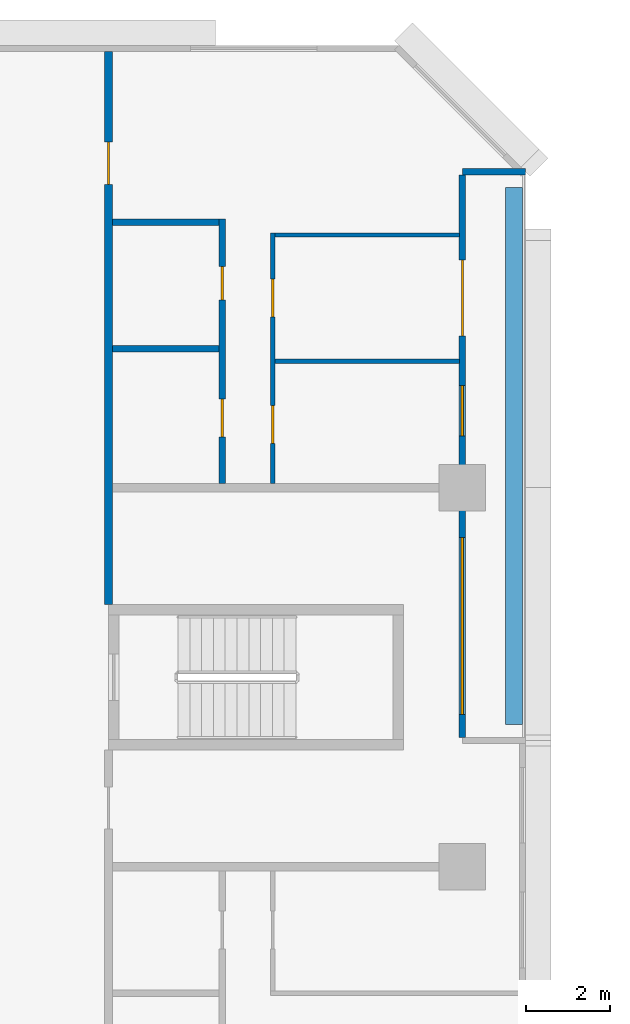
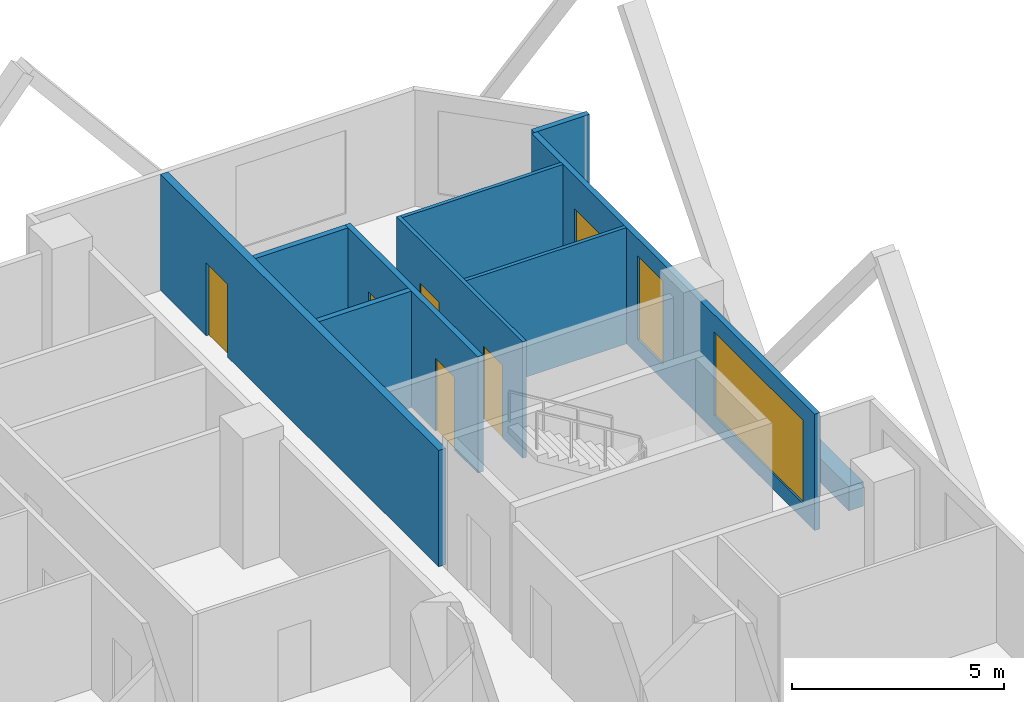
# One storey, part 10 of 15: 10 walls, 6 doors, 2 windows, 8 openings.
"""IFC4 building model written with IfcOpenShell, lengths in metres."""

from ifc_helpers import new_model, si_unit, direction, frame, frame_2d, origin, place, context, subcontext, project, spatial, rectangle, extrude, material, layer, layer_set, type_object, element, fill, save


model = new_model("IFC4")

# Units and contexts
model_context = context("Model", 3, precision=1e-05, world=origin(), true_north=direction((0.0, 1.0)))
body_context = subcontext(model_context, "Body", "Model", "MODEL_VIEW")
ifc_project = project(units=[si_unit("LENGTHUNIT", "METRE"), si_unit("AREAUNIT", "SQUARE_METRE"), si_unit("VOLUMEUNIT", "CUBIC_METRE"), si_unit("PLANEANGLEUNIT", "RADIAN"), si_unit("MASSUNIT", "GRAM", prefix="KILO")], contexts=[model_context])

# Site, building, storey
site_placement = place(None, origin())
site = spatial("IfcSite", under=ifc_project, at=site_placement, CompositionType="ELEMENT")
building_placement = place(site_placement, origin())
building = spatial("IfcBuilding", under=site, at=building_placement, Name="Chenar Terraces", CompositionType="ELEMENT")
storey_placement = place(building_placement, frame((0.0, 0.0, 63.89990234375)))
storey = spatial("IfcBuildingStorey", under=building, at=storey_placement, Name="L13", CompositionType="ELEMENT", Elevation=63.89990234375)

# Wall, opening, door
ifc_material_1 = material(Name="Gypsum board on steel studs with fire boards", Category="steel")
ifc_layer_1 = layer(ifc_material_1, 0.199951171875)
ifc_layer_set_1 = layer_set([ifc_layer_1], Name="Gypsum board on steel studs with fire boards")
wall_type_1 = type_object("IfcWallType", Name="Corridor wall 200", PredefinedType="PARTITIONING", material=ifc_layer_set_1)
wall_1_placement = place(storey_placement, frame((15.60009765625, 51.22509765625, 0.0), z_axis=(0.0, 0.0, 1.0), x_axis=(0.0, 1.0, 0.0)))
wall_1 = element("IfcWall", 1, at=wall_1_placement, inside=storey, type_object=wall_type_1, Name="Partition L13-034", PredefinedType="PARTITIONING", context=body_context, shape_type="SweptSolid", body=[
    extrude(rectangle(XDim=13.125, YDim=0.199951171875, at=frame_2d((6.5625, 0.0))), origin(), (0.0, 0.0, 1.0), 3.35009765625),
])
opening_1_placement = place(wall_1_placement, frame((9.97509765625, 0.0, 0.0)))
opening_1 = element("IfcOpeningElement", 2, at=opening_1_placement, cuts=wall_1, Name="Opening DL13-28", PredefinedType="OPENING", context=body_context, shape_type="SweptSolid", body=[
    extrude(rectangle(XDim=1.0, YDim=2.10009765625, at=frame_2d((0.5, 1.050048828125))), frame((0.0, 0.10986328125, 0.0), z_axis=(0.0, -1.0, 0.0), x_axis=(1.0, 0.0, 0.0)), (0.0, 0.0, 1.0), 0.219970703125),
])
ifc_material_2 = material(Name="Steel-framed fire-resisting door leaf", Category="steel")
door_type_1 = type_object("IfcDoorType", Name="Fire door FD30S 1000 x 2100", OperationType="SINGLE_SWING_LEFT", PredefinedType="DOOR", material=ifc_material_2)
door_1_placement = place(opening_1_placement, frame((1.0, 0.0, 0.0), z_axis=(0.0, 0.0, 1.0), x_axis=(-1.0, 0.0, 0.0)))
door_1 = element("IfcDoor", 3, at=door_1_placement, inside=storey, type_object=door_type_1, Name="Door DL13-28", OperationType="SINGLE_SWING_RIGHT", OverallHeight=2.10009765625, OverallWidth=1.0, PredefinedType="DOOR", context=body_context, shape_type="SweptSolid", body=[
    extrude(rectangle(XDim=1.0, YDim=2.10009765625, at=frame_2d((0.5, 1.050048828125))), frame((0.0, 0.02490234375, 0.0), z_axis=(0.0, -1.0, 0.0), x_axis=(1.0, 0.0, 0.0)), (0.0, 0.0, 1.0), 0.050048828125),
])
fill(opening_1, door_1)

# Wall, openings, windows, door
ifc_material_3 = material(Name="Aluminium framed glazing", Category="aluminium")
ifc_layer_2 = layer(ifc_material_3, 0.14990234375)
ifc_layer_set_2 = layer_set([ifc_layer_2], Name="Aluminium framed glazing")
wall_type_2 = type_object("IfcWallType", Name="Glazed loggia back wall 150", PredefinedType="SOLIDWALL", material=ifc_layer_set_2)
wall_2_placement = place(storey_placement, frame((24.0, 48.074951171875, 0.0), z_axis=(0.0, 0.0, 1.0), x_axis=(0.0, 1.0, 0.0)))
wall_2 = element("IfcWall", 4, at=wall_2_placement, inside=storey, type_object=wall_type_2, Name="Glazed loggia back wall", PredefinedType="SOLIDWALL", context=body_context, shape_type="SweptSolid", body=[
    extrude(rectangle(XDim=13.35009765625, YDim=0.14990234375, at=frame_2d((6.675048828125, 0.0))), origin(), (0.0, 0.0, 1.0), 3.35009765625),
])
opening_2_placement = place(wall_2_placement, frame((0.53759765625, 0.0, 0.449951171875)))
opening_2 = element("IfcOpeningElement", 5, at=opening_2_placement, cuts=wall_2, Name="Opening W420x240", PredefinedType="OPENING", context=body_context, shape_type="SweptSolid", body=[
    extrude(rectangle(XDim=4.199951171875, YDim=2.39990234375, at=frame_2d((2.10009765625, 1.199951171875))), frame((0.0, 0.0849609375, 0.0), z_axis=(0.0, -1.0, 0.0), x_axis=(1.0, 0.0, 0.0)), (0.0, 0.0, 1.0), 0.169921875),
])
opening_3_placement = place(wall_2_placement, frame((7.14990234375, 0.0, 0.449951171875)))
opening_3 = element("IfcOpeningElement", 6, at=opening_3_placement, cuts=wall_2, Name="Opening W120x240", PredefinedType="OPENING", context=body_context, shape_type="SweptSolid", body=[
    extrude(rectangle(XDim=1.199951171875, YDim=2.39990234375, at=frame_2d((0.60009765625, 1.199951171875))), frame((0.0, 0.0849609375, 0.0), z_axis=(0.0, -1.0, 0.0), x_axis=(1.0, 0.0, 0.0)), (0.0, 0.0, 1.0), 0.169921875),
])
opening_4_placement = place(wall_2_placement, frame((9.52490234375, 0.0, 0.0)))
opening_4 = element("IfcOpeningElement", 7, at=opening_4_placement, cuts=wall_2, Name="Opening DL13-G1", PredefinedType="OPENING", context=body_context, shape_type="SweptSolid", body=[
    extrude(rectangle(XDim=1.800048828125, YDim=2.39990234375, at=frame_2d((0.89990234375, 1.199951171875))), frame((0.0, 0.0849609375, 0.0), z_axis=(0.0, -1.0, 0.0), x_axis=(1.0, 0.0, 0.0)), (0.0, 0.0, 1.0), 0.169921875),
])
ifc_material_4 = material(Name="Low emissivity double glazing, aluminium frame", Category="aluminium")
window_type_1 = type_object("IfcWindowType", Name="Fixed light 1200 x 2400", PartitioningType="SINGLE_PANEL", PredefinedType="WINDOW", material=ifc_material_4)
window_1_placement = place(opening_3_placement, origin())
window_1 = element("IfcWindow", 8, at=window_1_placement, inside=storey, type_object=window_type_1, Name="Window", OverallHeight=2.39990234375, OverallWidth=1.199951171875, PartitioningType="SINGLE_PANEL", PredefinedType="WINDOW", context=body_context, shape_type="SweptSolid", body=[
    extrude(rectangle(XDim=1.199951171875, YDim=2.39990234375, at=frame_2d((0.60009765625, 1.199951171875))), frame((0.0, 0.030029296875, 0.0), z_axis=(0.0, -1.0, 0.0), x_axis=(1.0, 0.0, 0.0)), (0.0, 0.0, 1.0), 0.06005859375),
])
fill(opening_3, window_1)
ifc_material_5 = material(Name="Low emissivity double glazing, aluminium frame", Category="aluminium")
window_type_2 = type_object("IfcWindowType", Name="Fixed light 4200 x 2400", PartitioningType="SINGLE_PANEL", PredefinedType="WINDOW", material=ifc_material_5)
window_2_placement = place(opening_2_placement, origin())
window_2 = element("IfcWindow", 9, at=window_2_placement, inside=storey, type_object=window_type_2, Name="Window", OverallHeight=2.39990234375, OverallWidth=4.199951171875, PartitioningType="SINGLE_PANEL", PredefinedType="WINDOW", context=body_context, shape_type="SweptSolid", body=[
    extrude(rectangle(XDim=4.199951171875, YDim=2.39990234375, at=frame_2d((2.10009765625, 1.199951171875))), frame((0.0, 0.030029296875, 0.0), z_axis=(0.0, -1.0, 0.0), x_axis=(1.0, 0.0, 0.0)), (0.0, 0.0, 1.0), 0.06005859375),
])
fill(opening_2, window_2)
ifc_material_6 = material(Name="Low emissivity double glazing, aluminium frame", Category="aluminium")
door_type_2 = type_object("IfcDoorType", Name="Loggia glazed double door 1800 x 2400", OperationType="DOUBLE_DOOR_SINGLE_SWING", PredefinedType="DOOR", material=ifc_material_6)
door_2_placement = place(opening_4_placement, frame((1.800048828125, 0.0, 0.0), z_axis=(0.0, 0.0, 1.0), x_axis=(-1.0, 0.0, 0.0)))
door_2 = element("IfcDoor", 10, at=door_2_placement, inside=storey, type_object=door_type_2, Name="Loggia glazed door", OperationType="DOUBLE_DOOR_SINGLE_SWING", OverallHeight=2.39990234375, OverallWidth=1.800048828125, PredefinedType="DOOR", context=body_context, shape_type="SweptSolid", body=[
    extrude(rectangle(XDim=1.800048828125, YDim=2.39990234375, at=frame_2d((0.89990234375, 1.199951171875))), frame((0.0, 0.02490234375, 0.0), z_axis=(0.0, -1.0, 0.0), x_axis=(1.0, 0.0, 0.0)), (0.0, 0.0, 1.0), 0.050048828125),
])
fill(opening_4, door_2)

# Wall, openings, doors
ifc_material_7 = material(Name="Gypsum board on steel studs", Category="steel")
ifc_layer_3 = layer(ifc_material_7, 0.10009765625)
ifc_layer_set_3 = layer_set([ifc_layer_3], Name="Gypsum board on steel studs")
wall_type_3 = type_object("IfcWallType", Name="Gypsum partition 100", PredefinedType="PARTITIONING", material=ifc_layer_set_3)
wall_3_placement = place(storey_placement, frame((19.5, 54.10009765625, 0.0), z_axis=(0.0, 0.0, 1.0), x_axis=(0.0, 1.0, 0.0)))
wall_3 = element("IfcWall", 11, at=wall_3_placement, inside=storey, type_object=wall_type_3, Name="Partition L13-049", PredefinedType="PARTITIONING", context=body_context, shape_type="SweptSolid", body=[
    extrude(rectangle(XDim=5.949951171875, YDim=0.10009765625, at=frame_2d((2.97509765625, 0.0))), origin(), (0.0, 0.0, 1.0), 3.35009765625),
])
opening_5_placement = place(wall_3_placement, frame((0.949951171875, 0.0, 0.0)))
opening_5 = element("IfcOpeningElement", 12, at=opening_5_placement, cuts=wall_3, Name="Opening DL13-25", PredefinedType="OPENING", context=body_context, shape_type="SweptSolid", body=[
    extrude(rectangle(XDim=0.89990234375, YDim=2.10009765625, at=frame_2d((0.449951171875, 1.050048828125))), frame((0.0, 0.06005859375, 0.0), z_axis=(0.0, -1.0, 0.0), x_axis=(1.0, 0.0, 0.0)), (0.0, 0.0, 1.0), 0.1201171875),
])
opening_6_placement = place(wall_3_placement, frame((3.949951171875, 0.0, 0.0)))
opening_6 = element("IfcOpeningElement", 13, at=opening_6_placement, cuts=wall_3, Name="Opening DL13-26", PredefinedType="OPENING", context=body_context, shape_type="SweptSolid", body=[
    extrude(rectangle(XDim=0.89990234375, YDim=2.10009765625, at=frame_2d((0.449951171875, 1.050048828125))), frame((0.0, 0.06005859375, 0.0), z_axis=(0.0, -1.0, 0.0), x_axis=(1.0, 0.0, 0.0)), (0.0, 0.0, 1.0), 0.1201171875),
])
ifc_material_8 = material(Name="Veneered timber door leaf", Category="wood")
door_type_3 = type_object("IfcDoorType", Name="Door 900 x 2100", OperationType="SINGLE_SWING_LEFT", PredefinedType="DOOR", material=ifc_material_8)
door_3_placement = place(opening_5_placement, frame((0.89990234375, 0.0, 0.0), z_axis=(0.0, 0.0, 1.0), x_axis=(-1.0, 0.0, 0.0)))
door_3 = element("IfcDoor", 14, at=door_3_placement, inside=storey, type_object=door_type_3, Name="Door DL13-25", OperationType="SINGLE_SWING_LEFT", OverallHeight=2.10009765625, OverallWidth=0.89990234375, PredefinedType="DOOR", context=body_context, shape_type="SweptSolid", body=[
    extrude(rectangle(XDim=0.89990234375, YDim=2.10009765625, at=frame_2d((0.449951171875, 1.050048828125))), frame((0.0, 0.02490234375, 0.0), z_axis=(0.0, -1.0, 0.0), x_axis=(1.0, 0.0, 0.0)), (0.0, 0.0, 1.0), 0.050048828125),
])
fill(opening_5, door_3)
door_4_placement = place(opening_6_placement, frame((0.89990234375, 0.0, 0.0), z_axis=(0.0, 0.0, 1.0), x_axis=(-1.0, 0.0, 0.0)))
door_4 = element("IfcDoor", 15, at=door_4_placement, inside=storey, type_object=door_type_3, Name="Door DL13-26", OperationType="SINGLE_SWING_LEFT", OverallHeight=2.10009765625, OverallWidth=0.89990234375, PredefinedType="DOOR", context=body_context, shape_type="SweptSolid", body=[
    extrude(rectangle(XDim=0.89990234375, YDim=2.10009765625, at=frame_2d((0.449951171875, 1.050048828125))), frame((0.0, 0.02490234375, 0.0), z_axis=(0.0, -1.0, 0.0), x_axis=(1.0, 0.0, 0.0)), (0.0, 0.0, 1.0), 0.050048828125),
])
fill(opening_6, door_4)

# Walls
for number, where, z_axis, x_axis, name in (
    (16, (19.550048828125, 57.0, 0.0), (0.0, 0.0, 1.0), (1.0, 0.0, 0.0), "Partition L13-050"),
    (17, (19.550048828125, 60.0, 0.0), (0.0, 0.0, 1.0), (1.0, 0.0, 0.0), "Partition L13-051"),
):
    element("IfcWall", number, at=place(storey_placement, frame(where, z_axis=z_axis, x_axis=x_axis)), inside=storey, type_object=wall_type_3, Name=name, PredefinedType="PARTITIONING", context=body_context, shape_type="SweptSolid", body=[
        extrude(rectangle(XDim=4.3759765625, YDim=0.10009765625, at=frame_2d((2.18798828125, 0.0))), origin(), (0.0, 0.0, 1.0), 3.35009765625),
    ])
ifc_material_9 = material(Name="Terracotta cladding on insulated backing", Category="masonry")
ifc_layer_4 = layer(ifc_material_9, 0.14990234375)
ifc_layer_set_4 = layer_set([ifc_layer_4], Name="Terracotta cladding on insulated backing")
wall_type_4 = type_object("IfcWallType", Name="Loggia return wall 150", PredefinedType="SOLIDWALL", material=ifc_layer_set_4)
wall_4_placement = place(storey_placement, frame((25.5, 61.5, 0.0), z_axis=(0.0, 0.0, 1.0), x_axis=(-1.0, 0.0, 0.0)))
element("IfcWall", 18, at=wall_4_placement, inside=storey, type_object=wall_type_4, Name="Loggia return wall", PredefinedType="SOLIDWALL", context=body_context, shape_type="SweptSolid", body=[
    extrude(rectangle(XDim=1.5, YDim=0.14990234375, at=frame_2d((0.75, 0.0))), origin(), (0.0, 0.0, 1.0), 3.35009765625),
])
ifc_material_10 = material(Name="GRP planter trough")
ifc_layer_5 = layer(ifc_material_10, 0.39990234375)
ifc_layer_set_5 = layer_set([ifc_layer_5], Name="GRP planter trough")
wall_type_5 = type_object("IfcWallType", Name="Vertical greenery planter 400", PredefinedType="SOLIDWALL", material=ifc_layer_set_5)
wall_5_placement = place(storey_placement, frame((25.22900390625, 48.375, 0.0), z_axis=(0.0, 0.0, 1.0), x_axis=(0.0, 1.0, 0.0)))
element("IfcWall", 19, at=wall_5_placement, inside=storey, type_object=wall_type_5, Name="Vertical greenery planter", PredefinedType="SOLIDWALL", context=body_context, shape_type="SweptSolid", body=[
    extrude(rectangle(XDim=12.75, YDim=0.39990234375, at=frame_2d((6.375, 0.0))), origin(), (0.0, 0.0, 1.0), 0.7001953125),
])
ifc_material_11 = material(Name="Moisture-resistant gypsum board on steel studs", Category="steel")
ifc_layer_6 = layer(ifc_material_11, 0.14990234375)
ifc_layer_set_6 = layer_set([ifc_layer_6], Name="Moisture-resistant gypsum board on steel studs")
wall_type_6 = type_object("IfcWallType", Name="Wet-room partition 150", PredefinedType="PARTITIONING", material=ifc_layer_set_6)
for number, where, z_axis, x_axis, name in (
    (20, (15.699951171875, 57.300048828125, 0.0), (0.0, 0.0, 1.0), (1.0, 0.0, 0.0), "Partition L13-042"),
    (21, (15.699951171875, 60.300048828125, 0.0), (0.0, 0.0, 1.0), (1.0, 0.0, 0.0), "Partition L13-043"),
):
    element("IfcWall", number, at=place(storey_placement, frame(where, z_axis=z_axis, x_axis=x_axis)), inside=storey, type_object=wall_type_6, Name=name, PredefinedType="PARTITIONING", context=body_context, shape_type="SweptSolid", body=[
        extrude(rectangle(XDim=2.525146484375, YDim=0.14990234375, at=frame_2d((1.2626953125, 0.0))), origin(), (0.0, 0.0, 1.0), 3.35009765625),
    ])

# Wall, openings, doors
wall_6_placement = place(storey_placement, frame((18.300048828125, 54.10009765625, 0.0), z_axis=(0.0, 0.0, 1.0), x_axis=(0.0, 1.0, 0.0)))
wall_6 = element("IfcWall", 22, at=wall_6_placement, inside=storey, type_object=wall_type_6, Name="Partition L13-046", PredefinedType="PARTITIONING", context=body_context, shape_type="SweptSolid", body=[
    extrude(rectangle(XDim=6.27490234375, YDim=0.14990234375, at=frame_2d((3.137451171875, 0.0))), origin(), (0.0, 0.0, 1.0), 3.35009765625),
])
opening_7_placement = place(wall_6_placement, frame((4.35009765625, 0.0, 0.0)))
opening_7 = element("IfcOpeningElement", 23, at=opening_7_placement, cuts=wall_6, Name="Opening DL13-24", PredefinedType="OPENING", context=body_context, shape_type="SweptSolid", body=[
    extrude(rectangle(XDim=0.800048828125, YDim=2.10009765625, at=frame_2d((0.39990234375, 1.050048828125))), frame((0.0, 0.0849609375, 0.0), z_axis=(0.0, -1.0, 0.0), x_axis=(1.0, 0.0, 0.0)), (0.0, 0.0, 1.0), 0.169921875),
])
opening_8_placement = place(wall_6_placement, frame((1.10009765625, 0.0, 0.0)))
opening_8 = element("IfcOpeningElement", 24, at=opening_8_placement, cuts=wall_6, Name="Opening DL13-27", PredefinedType="OPENING", context=body_context, shape_type="SweptSolid", body=[
    extrude(rectangle(XDim=0.89990234375, YDim=2.10009765625, at=frame_2d((0.449951171875, 1.050048828125))), frame((0.0, 0.0849609375, 0.0), z_axis=(0.0, -1.0, 0.0), x_axis=(1.0, 0.0, 0.0)), (0.0, 0.0, 1.0), 0.169921875),
])
ifc_material_12 = material(Name="Veneered timber door leaf", Category="wood")
door_type_4 = type_object("IfcDoorType", Name="Door 800 x 2100", OperationType="SINGLE_SWING_LEFT", PredefinedType="DOOR", material=ifc_material_12)
door_5_placement = place(opening_7_placement, origin())
door_5 = element("IfcDoor", 25, at=door_5_placement, inside=storey, type_object=door_type_4, Name="Door DL13-24", OperationType="SINGLE_SWING_RIGHT", OverallHeight=2.10009765625, OverallWidth=0.800048828125, PredefinedType="DOOR", context=body_context, shape_type="SweptSolid", body=[
    extrude(rectangle(XDim=0.800048828125, YDim=2.10009765625, at=frame_2d((0.39990234375, 1.050048828125))), frame((0.0, 0.02490234375, 0.0), z_axis=(0.0, -1.0, 0.0), x_axis=(1.0, 0.0, 0.0)), (0.0, 0.0, 1.0), 0.050048828125),
])
fill(opening_7, door_5)
door_6_placement = place(opening_8_placement, origin())
door_6 = element("IfcDoor", 26, at=door_6_placement, inside=storey, type_object=door_type_3, Name="Door DL13-27", OperationType="SINGLE_SWING_LEFT", OverallHeight=2.10009765625, OverallWidth=0.89990234375, PredefinedType="DOOR", context=body_context, shape_type="SweptSolid", body=[
    extrude(rectangle(XDim=0.89990234375, YDim=2.10009765625, at=frame_2d((0.449951171875, 1.050048828125))), frame((0.0, 0.02490234375, 0.0), z_axis=(0.0, -1.0, 0.0), x_axis=(1.0, 0.0, 0.0)), (0.0, 0.0, 1.0), 0.050048828125),
])
fill(opening_8, door_6)

save(model, "model.ifc")
